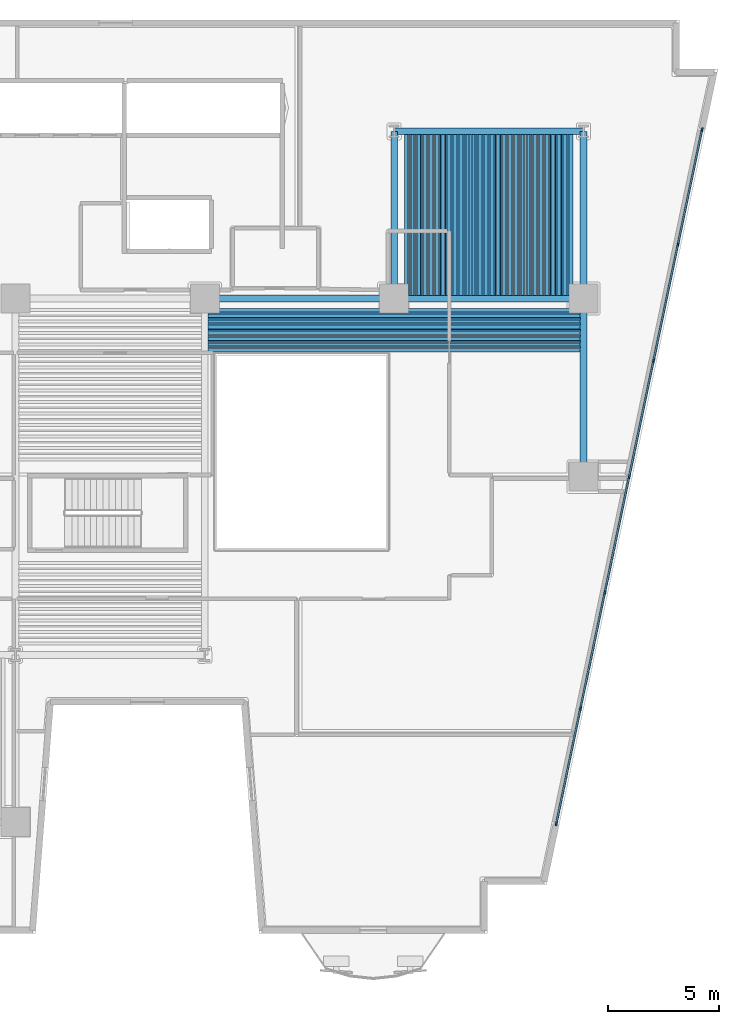
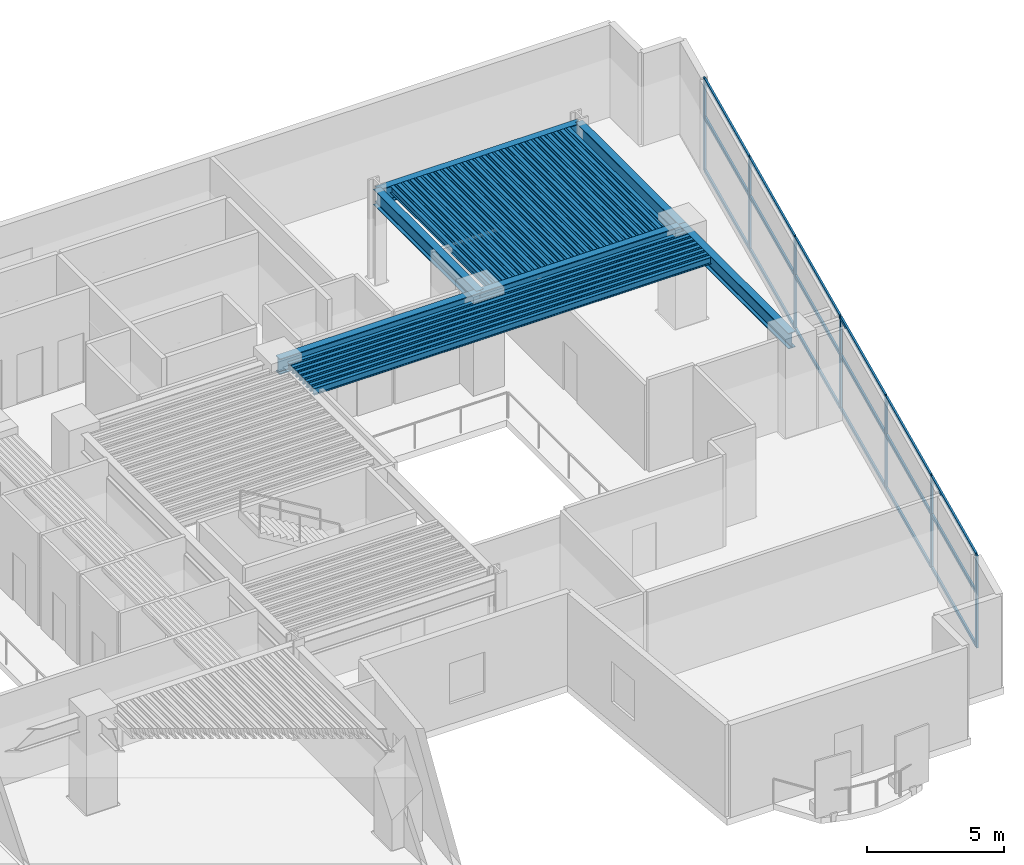
# One storey, part 2 of 11: 76 beams, 25 members, 1 element without a shape of its own.
"""IFC4 building model written with IfcOpenShell, lengths in metres."""

import ifcopenshell
import ifcopenshell.guid

model = None  # the IFC model being written
_history = None  # IfcOwnerHistory: only IFC2X3 demands one
_inside = {}  # id of a spatial element -> (the spatial element, [elements in it])
_under = {}  # id of a project, library or spatial element -> (it, [spatial elements below it])
_declared = {}  # id of a project -> (the project, [libraries it declares])
_typed = {}  # id of a type object -> (the type object, [elements of that type])
_made_of = {}  # id of a material, layer set ... -> (it, [elements and type objects made of it])


def new_model(schema):
    """Start an empty IFC model of exactly this schema.

    Asked for "IFC4X3", IfcOpenShell would pick the latest addendum, in which some entities
    have other attributes; the version numbers below select the first issue.
    IFC2X3 requires an IfcOwnerHistory on every rooted entity: one is made here for all.
    """
    global model, _history
    if schema == "IFC4X3":
        model = ifcopenshell.file(schema_version=(4, 3, 0, 0))
    else:
        model = ifcopenshell.file(schema=schema)
    _inside.clear()
    _under.clear()
    _declared.clear()
    _typed.clear()
    _made_of.clear()
    _history = None
    if model.schema == "IFC2X3":
        org = make("IfcOrganization", Name="unknown")
        user = make(
            "IfcPersonAndOrganization",
            ThePerson=make("IfcPerson", FamilyName="unknown"),
            TheOrganization=org,
        )
        app = make(
            "IfcApplication",
            ApplicationDeveloper=org,
            Version="unknown",
            ApplicationFullName="unknown",
            ApplicationIdentifier="unknown",
        )
        _history = make(
            "IfcOwnerHistory",
            OwningUser=user,
            OwningApplication=app,
            ChangeAction="ADDED",
            CreationDate=0,
        )
    return model


def make(cls, **values):
    """One entity of the class cls with the attributes given. An attribute that is None is left unset."""
    return model.create_entity(
        cls, **{name: value for name, value in values.items() if value is not None}
    )


def rooted(cls, **values):
    """An entity with a GlobalId (a new one), such as an element, a storey or a relation."""
    return make(cls, GlobalId=ifcopenshell.guid.new(), OwnerHistory=_history, **values)


def si_unit(unit_type, name, prefix=None):
    """IfcSIUnit, for example si_unit("LENGTHUNIT", "METRE", prefix="MILLI")."""
    return make("IfcSIUnit", UnitType=unit_type, Prefix=prefix, Name=name)


def assignment(units):
    """IfcUnitAssignment: the units of a project."""
    return None if units is None else make("IfcUnitAssignment", Units=units)


def point(xyz):
    """IfcCartesianPoint."""
    return None if xyz is None else make("IfcCartesianPoint", Coordinates=xyz)


def direction(xyz):
    """IfcDirection."""
    return None if xyz is None else make("IfcDirection", DirectionRatios=xyz)


def frame(location, z_axis=None, x_axis=None):
    """IfcAxis2Placement3D, a coordinate frame: its origin and axes. An axis left out is left unset."""
    return make(
        "IfcAxis2Placement3D",
        Location=point(location),
        Axis=direction(z_axis),
        RefDirection=direction(x_axis),
    )


def frame_2d(location, x_axis=None):
    """IfcAxis2Placement2D, a coordinate frame in the plane: its origin and x axis."""
    return make(
        "IfcAxis2Placement2D", Location=point(location), RefDirection=direction(x_axis)
    )


def origin():
    """The frame at (0, 0, 0) with its axes left unset."""
    return frame((0.0, 0.0, 0.0))


def origin_2d():
    """The frame at (0, 0) in the plane with its x axis left unset."""
    return frame_2d((0.0, 0.0))


def place(relative_to, where):
    """IfcLocalPlacement: puts the frame where relative to a parent placement (None: the world)."""
    return make(
        "IfcLocalPlacement", PlacementRelTo=relative_to, RelativePlacement=where
    )


def context(
    kind, dimensions, precision=None, world=None, true_north=None, identifier=None
):
    """IfcGeometricRepresentationContext, for example the 3D "Model" context."""
    return make(
        "IfcGeometricRepresentationContext",
        ContextIdentifier=identifier,
        ContextType=kind,
        CoordinateSpaceDimension=dimensions,
        Precision=precision,
        WorldCoordinateSystem=world,
        TrueNorth=true_north,
    )


def subcontext(parent, identifier, kind, view, scale=None):
    """IfcGeometricRepresentationSubContext, for example "Body" below "Model"."""
    return make(
        "IfcGeometricRepresentationSubContext",
        ContextIdentifier=identifier,
        ContextType=kind,
        ParentContext=parent,
        TargetScale=scale,
        TargetView=view,
    )


def project(units=None, contexts=None):
    """IfcProject with its units and contexts."""
    return rooted(
        "IfcProject",
        Name="project",
        RepresentationContexts=contexts,
        UnitsInContext=assignment(units),
    )


def spatial(cls, under=None, at=None, **own):
    """A site, building, storey or space (cls), placed at a placement, below another one or the project."""
    s = rooted(cls, ObjectPlacement=at, **own)
    if under is not None:
        _under.setdefault(under.id(), (under, []))[1].append(s)
    return s


def profile(cls, at=None, kind="AREA", **sizes):
    """A parametric profile (cls). Its sizes go by their IFC names, for example OverallWidth=200.0."""
    return make(cls, ProfileType=kind, Position=at, **sizes)


def rectangle(**sizes):
    """IfcRectangleProfileDef."""
    return profile("IfcRectangleProfileDef", **sizes)


def hollow_rectangle(**sizes):
    """IfcRectangleHollowProfileDef."""
    return profile("IfcRectangleHollowProfileDef", **sizes)


def i_section(**sizes):
    """IfcIShapeProfileDef."""
    return profile("IfcIShapeProfileDef", **sizes)


def extrude(swept, where, along, depth):
    """IfcExtrudedAreaSolid: the profile swept, set in the frame where, extruded along a direction by depth."""
    return make(
        "IfcExtrudedAreaSolid",
        SweptArea=swept,
        Position=where,
        ExtrudedDirection=direction(along),
        Depth=depth,
    )


def shape(context_of_items, identifier, shape_type, items):
    """IfcShapeRepresentation: the items that make up one representation, for example the "Body"."""
    return make(
        "IfcShapeRepresentation",
        ContextOfItems=context_of_items,
        RepresentationIdentifier=identifier,
        RepresentationType=shape_type,
        Items=items,
    )


def material(Name=None, Category=None):
    """IfcMaterial."""
    return make("IfcMaterial", Name=Name, Category=Category)


def layer(
    of_material, thickness, ventilated=None, Name=None, Category=None, Priority=None
):
    """IfcMaterialLayer: one layer of a wall or slab, of a material (None: an air gap)."""
    return make(
        "IfcMaterialLayer",
        Material=of_material,
        LayerThickness=thickness,
        IsVentilated=ventilated,
        Name=Name,
        Category=Category,
        Priority=Priority,
    )


def layer_set(layers, Name=None):
    """IfcMaterialLayerSet."""
    return make("IfcMaterialLayerSet", MaterialLayers=layers, LayerSetName=Name)


def material_profile(
    of_material, cross_section, Name=None, Category=None, Priority=None
):
    """IfcMaterialProfile: a cross section and its material."""
    return make(
        "IfcMaterialProfile",
        Name=Name,
        Material=of_material,
        Profile=cross_section,
        Priority=Priority,
        Category=Category,
    )


def profile_set(profiles, Name=None, composite=None):
    """IfcMaterialProfileSet."""
    return make(
        "IfcMaterialProfileSet",
        Name=Name,
        MaterialProfiles=profiles,
        CompositeProfile=composite,
    )


def made_of(thing, what):
    """Note that an element or type object is made of a material, layer set ...; save() writes the relation."""
    if what is not None:
        _made_of.setdefault(what.id(), (what, []))[1].append(thing)
    return thing


def type_object(cls, material=None, **own):
    """A type object (cls), such as IfcWallType, which elements share."""
    return made_of(rooted(cls, **own), material)


def element(
    cls,
    number,
    at=None,
    inside=None,
    cuts=None,
    type_object=None,
    material=None,
    context=None,
    identifier="Body",
    shape_type=None,
    held_by="IfcProductDefinitionShape",
    body=None,
    shapes=None,
    **own,
):
    """One element of the class cls, such as IfcWall. Its Tag is "e" and its number.

    at: its placement. inside: the storey or other place that contains it. cuts: it is an
    opening in that element (IfcRelVoidsElement). A single representation is given by context,
    identifier, shape_type and body (its items); several are given by shapes. held_by: the class
    of the entity that holds the representations. save() writes the other relations.
    """
    e = rooted(cls, Tag="e%d" % number, ObjectPlacement=at, **own)
    if body is not None:
        shapes = [shape(context, identifier, shape_type, body)]
    if shapes is not None:
        e.Representation = make(held_by, Representations=shapes)
    if inside is not None:
        _inside.setdefault(inside.id(), (inside, []))[1].append(e)
    if cuts is not None:
        rooted(
            "IfcRelVoidsElement", RelatingBuildingElement=cuts, RelatedOpeningElement=e
        )
    if type_object is not None:
        _typed.setdefault(type_object.id(), (type_object, []))[1].append(e)
    return made_of(e, material)


def aggregate(whole, parts):
    """IfcRelAggregates: a whole, such as a stair, and the parts it consists of."""
    return rooted("IfcRelAggregates", RelatingObject=whole, RelatedObjects=parts)


def save(model, path):
    """Write the relations noted so far, then the file.

    IfcRelAggregates (storeys below a building ...), IfcRelContainedInSpatialStructure (elements
    in a storey), IfcRelDefinesByType, IfcRelAssociatesMaterial and IfcRelDeclares: one each for
    every whole, place, type object, material and project.
    """
    for whole, parts in _under.values():
        aggregate(whole, parts)
    for where, things in _inside.values():
        rooted(
            "IfcRelContainedInSpatialStructure",
            RelatedElements=things,
            RelatingStructure=where,
        )
    for kind, things in _typed.values():
        rooted("IfcRelDefinesByType", RelatedObjects=things, RelatingType=kind)
    for what, things in _made_of.values():
        rooted("IfcRelAssociatesMaterial", RelatedObjects=things, RelatingMaterial=what)
    for by, libraries in _declared.values():
        rooted("IfcRelDeclares", RelatingContext=by, RelatedDefinitions=libraries)
    model.write(path)


model = new_model("IFC4")

# Units and contexts
model_context = context("Model", 3, precision=1e-05, world=origin(), true_north=direction((0.0, 1.0)))
body_context = subcontext(model_context, "Body", "Model", "MODEL_VIEW")
ifc_project = project(units=[si_unit("LENGTHUNIT", "METRE"), si_unit("AREAUNIT", "SQUARE_METRE"), si_unit("VOLUMEUNIT", "CUBIC_METRE"), si_unit("PLANEANGLEUNIT", "RADIAN"), si_unit("MASSUNIT", "GRAM", prefix="KILO")], contexts=[model_context])

# Site, building, storey
site_placement = place(None, origin())
site = spatial("IfcSite", under=ifc_project, at=site_placement, CompositionType="ELEMENT")
building_placement = place(site_placement, origin())
building = spatial("IfcBuilding", under=site, at=building_placement, Name="Caeloran Harvest Quay", CompositionType="ELEMENT")
storey_placement = place(building_placement, frame((0.0, 0.0, 49.0)))
storey = spatial("IfcBuildingStorey", under=building, at=storey_placement, Name="L11", CompositionType="ELEMENT", Elevation=49.0)

# Beams
ifc_material_1 = material(Name="Steel S355J2", Category="steel")
ifc_material_profile_1 = material_profile(ifc_material_1, i_section(OverallWidth=0.300048828125, OverallDepth=0.699951171875, WebThickness=0.01708984375, FlangeThickness=0.031982421875, FilletRadius=0.027099609375, at=origin_2d()), Name="HE 700 B")
ifc_profile_set_1 = profile_set([ifc_material_profile_1], Name="Steel S355J2")
beam_type_1 = type_object("IfcBeamType", Name="BM-PG-2-HE_700_B", PredefinedType="BEAM", material=ifc_profile_set_1)
for number, where, z_axis, x_axis, name in (
    (1, (34.0, 31.0, 3.75), (1.0, 0.0, 0.0), (0.0, 1.0, 0.0), "L11 Primary East-West Girder Y=31.0"),
    (2, (42.5, 31.0, 3.75), (1.0, 0.0, 0.0), (0.0, 1.0, 0.0), "L11 Primary East-West Girder Y=31.0"),
    (3, (42.5, 38.5, 3.75), (1.0, 0.0, 0.0), (0.0, 1.0, 0.0), "L11 Primary East-West Girder Y=38.5"),
):
    element("IfcBeam", number, at=place(storey_placement, frame(where, z_axis=z_axis, x_axis=x_axis)), inside=storey, type_object=beam_type_1, Name=name, PredefinedType="BEAM", context=body_context, shape_type="SweptSolid", body=[
        extrude(i_section(OverallWidth=0.300048828125, OverallDepth=0.699951171875, WebThickness=0.01708984375, FlangeThickness=0.031982421875, FilletRadius=0.027099609375, at=origin_2d()), origin(), (0.0, 0.0, 1.0), 8.5),
    ])
beam_1_placement = place(storey_placement, frame((42.5, 31.0, 3.75), z_axis=(0.0, 1.0, 0.0), x_axis=(-1.0, 0.0, 0.0)))
element("IfcBeam", 4, at=beam_1_placement, inside=storey, type_object=beam_type_1, Name="L11 Primary North-South Girder X=42.5", PredefinedType="BEAM", context=body_context, shape_type="SweptSolid", body=[
    extrude(i_section(OverallWidth=0.300048828125, OverallDepth=0.699951171875, WebThickness=0.01708984375, FlangeThickness=0.031982421875, FilletRadius=0.027099609375, at=origin_2d()), origin(), (0.0, 0.0, 1.0), 7.5),
])
beam_2_placement = place(storey_placement, frame((51.0, 23.0, 3.75), z_axis=(0.0, 1.0, 0.0), x_axis=(-1.0, 0.0, 0.0)))
element("IfcBeam", 5, at=beam_2_placement, inside=storey, type_object=beam_type_1, Name="L11 Primary North-South Girder X=51.0", PredefinedType="BEAM", context=body_context, shape_type="SweptSolid", body=[
    extrude(i_section(OverallWidth=0.300048828125, OverallDepth=0.699951171875, WebThickness=0.01708984375, FlangeThickness=0.031982421875, FilletRadius=0.027099609375, at=origin_2d()), origin(), (0.0, 0.0, 1.0), 8.0),
])
beam_3_placement = place(storey_placement, frame((51.0, 31.0, 3.75), z_axis=(0.0, 1.0, 0.0), x_axis=(-1.0, 0.0, 0.0)))
element("IfcBeam", 6, at=beam_3_placement, inside=storey, type_object=beam_type_1, Name="L11 Primary North-South Girder X=51.0", PredefinedType="BEAM", context=body_context, shape_type="SweptSolid", body=[
    extrude(i_section(OverallWidth=0.300048828125, OverallDepth=0.699951171875, WebThickness=0.01708984375, FlangeThickness=0.031982421875, FilletRadius=0.027099609375, at=origin_2d()), origin(), (0.0, 0.0, 1.0), 7.5),
])
ifc_material_profile_2 = material_profile(ifc_material_1, i_section(OverallWidth=0.14990234375, OverallDepth=0.300048828125, WebThickness=0.007080078125, FlangeThickness=0.0107421875, FilletRadius=0.014892578125, at=origin_2d()), Name="IPE 300")
ifc_profile_set_2 = profile_set([ifc_material_profile_2], Name="Steel S355J2")
beam_type_2 = type_object("IfcBeamType", Name="BM-SB-6-IPE_300", PredefinedType="JOIST", material=ifc_profile_set_2)
for number, where, z_axis, x_axis, name in (
    (7, (43.04833984375, 31.14501953125, 3.949951171875), (0.0, 1.0, 0.0), (-1.0, 0.0, 0.0), "L11 Secondary Composite Joist"),
    (8, (43.322509765625, 31.14501953125, 3.949951171875), (0.0, 1.0, 0.0), (-1.0, 0.0, 0.0), "L11 Secondary Composite Joist"),
    (9, (43.5966796875, 31.14501953125, 3.949951171875), (0.0, 1.0, 0.0), (-1.0, 0.0, 0.0), "L11 Secondary Composite Joist"),
    (10, (43.87109375, 31.14501953125, 3.949951171875), (0.0, 1.0, 0.0), (-1.0, 0.0, 0.0), "L11 Secondary Composite Joist"),
    (11, (44.145263671875, 31.14501953125, 3.949951171875), (0.0, 1.0, 0.0), (-1.0, 0.0, 0.0), "L11 Secondary Composite Joist"),
    (12, (44.41943359375, 31.14501953125, 3.949951171875), (0.0, 1.0, 0.0), (-1.0, 0.0, 0.0), "L11 Secondary Composite Joist"),
    (13, (44.693603515625, 31.14501953125, 3.949951171875), (0.0, 1.0, 0.0), (-1.0, 0.0, 0.0), "L11 Secondary Composite Joist"),
    (14, (44.9677734375, 31.14501953125, 3.949951171875), (0.0, 1.0, 0.0), (-1.0, 0.0, 0.0), "L11 Secondary Composite Joist"),
    (15, (45.241943359375, 31.14501953125, 3.949951171875), (0.0, 1.0, 0.0), (-1.0, 0.0, 0.0), "L11 Secondary Composite Joist"),
    (16, (45.51611328125, 31.14501953125, 3.949951171875), (0.0, 1.0, 0.0), (-1.0, 0.0, 0.0), "L11 Secondary Composite Joist"),
    (17, (45.790283203125, 31.14501953125, 3.949951171875), (0.0, 1.0, 0.0), (-1.0, 0.0, 0.0), "L11 Secondary Composite Joist"),
    (18, (46.064453125, 31.14501953125, 3.949951171875), (0.0, 1.0, 0.0), (-1.0, 0.0, 0.0), "L11 Secondary Composite Joist"),
    (19, (46.338623046875, 31.14501953125, 3.949951171875), (0.0, 1.0, 0.0), (-1.0, 0.0, 0.0), "L11 Secondary Composite Joist"),
    (20, (46.61279296875, 31.14501953125, 3.949951171875), (0.0, 1.0, 0.0), (-1.0, 0.0, 0.0), "L11 Secondary Composite Joist"),
    (21, (46.88720703125, 31.14501953125, 3.949951171875), (0.0, 1.0, 0.0), (-1.0, 0.0, 0.0), "L11 Secondary Composite Joist"),
    (22, (47.161376953125, 31.14501953125, 3.949951171875), (0.0, 1.0, 0.0), (-1.0, 0.0, 0.0), "L11 Secondary Composite Joist"),
    (23, (47.435546875, 31.14501953125, 3.949951171875), (0.0, 1.0, 0.0), (-1.0, 0.0, 0.0), "L11 Secondary Composite Joist"),
    (24, (47.709716796875, 31.14501953125, 3.949951171875), (0.0, 1.0, 0.0), (-1.0, 0.0, 0.0), "L11 Secondary Composite Joist"),
    (25, (47.98388671875, 31.14501953125, 3.949951171875), (0.0, 1.0, 0.0), (-1.0, 0.0, 0.0), "L11 Secondary Composite Joist"),
    (26, (48.258056640625, 31.14501953125, 3.949951171875), (0.0, 1.0, 0.0), (-1.0, 0.0, 0.0), "L11 Secondary Composite Joist"),
    (27, (48.5322265625, 31.14501953125, 3.949951171875), (0.0, 1.0, 0.0), (-1.0, 0.0, 0.0), "L11 Secondary Composite Joist"),
    (28, (48.806396484375, 31.14501953125, 3.949951171875), (0.0, 1.0, 0.0), (-1.0, 0.0, 0.0), "L11 Secondary Composite Joist"),
    (29, (49.08056640625, 31.14501953125, 3.949951171875), (0.0, 1.0, 0.0), (-1.0, 0.0, 0.0), "L11 Secondary Composite Joist"),
    (30, (49.354736328125, 31.14501953125, 3.949951171875), (0.0, 1.0, 0.0), (-1.0, 0.0, 0.0), "L11 Secondary Composite Joist"),
    (31, (49.62890625, 31.14501953125, 3.949951171875), (0.0, 1.0, 0.0), (-1.0, 0.0, 0.0), "L11 Secondary Composite Joist"),
    (32, (49.9033203125, 31.14501953125, 3.949951171875), (0.0, 1.0, 0.0), (-1.0, 0.0, 0.0), "L11 Secondary Composite Joist"),
    (33, (50.177490234375, 31.14501953125, 3.949951171875), (0.0, 1.0, 0.0), (-1.0, 0.0, 0.0), "L11 Secondary Composite Joist"),
    (34, (50.45166015625, 31.14501953125, 3.949951171875), (0.0, 1.0, 0.0), (-1.0, 0.0, 0.0), "L11 Secondary Composite Joist"),
):
    element("IfcBeam", number, at=place(storey_placement, frame(where, z_axis=z_axis, x_axis=x_axis)), inside=storey, type_object=beam_type_2, Name=name, PredefinedType="JOIST", context=body_context, shape_type="SweptSolid", body=[
        extrude(i_section(OverallWidth=0.14990234375, OverallDepth=0.300048828125, WebThickness=0.007080078125, FlangeThickness=0.0107421875, FilletRadius=0.014892578125, at=origin_2d()), origin(), (0.0, 0.0, 1.0), 7.2099609375),
    ])
for number, where, z_axis, x_axis, name in (
    (35, (34.14501953125, 28.677490234375, 3.949951171875), (1.0, 0.0, 0.0), (0.0, 1.0, 0.0), "L11 Secondary East-West Composite Joist"),
    (36, (34.14501953125, 28.935546875, 3.949951171875), (1.0, 0.0, 0.0), (0.0, 1.0, 0.0), "L11 Secondary East-West Composite Joist"),
    (37, (34.14501953125, 29.193603515625, 3.949951171875), (1.0, 0.0, 0.0), (0.0, 1.0, 0.0), "L11 Secondary East-West Composite Joist"),
    (38, (34.14501953125, 29.45166015625, 3.949951171875), (1.0, 0.0, 0.0), (0.0, 1.0, 0.0), "L11 Secondary East-West Composite Joist"),
    (39, (34.14501953125, 29.709716796875, 3.949951171875), (1.0, 0.0, 0.0), (0.0, 1.0, 0.0), "L11 Secondary East-West Composite Joist"),
    (40, (34.14501953125, 29.9677734375, 3.949951171875), (1.0, 0.0, 0.0), (0.0, 1.0, 0.0), "L11 Secondary East-West Composite Joist"),
    (41, (34.14501953125, 30.225830078125, 3.949951171875), (1.0, 0.0, 0.0), (0.0, 1.0, 0.0), "L11 Secondary East-West Composite Joist"),
    (42, (34.14501953125, 30.48388671875, 3.949951171875), (1.0, 0.0, 0.0), (0.0, 1.0, 0.0), "L11 Secondary East-West Composite Joist"),
):
    element("IfcBeam", number, at=place(storey_placement, frame(where, z_axis=z_axis, x_axis=x_axis)), inside=storey, type_object=beam_type_2, Name=name, PredefinedType="JOIST", context=body_context, shape_type="SweptSolid", body=[
        extrude(i_section(OverallWidth=0.14990234375, OverallDepth=0.300048828125, WebThickness=0.007080078125, FlangeThickness=0.0107421875, FilletRadius=0.014892578125, at=origin_2d()), origin(), (0.0, 0.0, 1.0), 16.7099609375),
    ])
ifc_material_profile_3 = material_profile(ifc_material_1, hollow_rectangle(XDim=0.080078125, YDim=0.199951171875, WallThickness=0.006103515625, InnerFilletRadius=0.006103515625, OuterFilletRadius=0.009033203125, at=origin_2d()), Name="RHS 200x80x6")
ifc_profile_set_3 = profile_set([ifc_material_profile_3], Name="Steel S355J2")
beam_type_3 = type_object("IfcBeamType", Name="BM-SB-7-RHS_200x80x6", PredefinedType="JOIST", material=ifc_profile_set_3)
for number, where, z_axis, x_axis, name in (
    (43, (43.185546875, 31.14501953125, 4.0), (0.0, 1.0, 0.0), (-1.0, 0.0, 0.0), "L11 Secondary Composite Joist"),
    (44, (43.459716796875, 31.14501953125, 4.0), (0.0, 1.0, 0.0), (-1.0, 0.0, 0.0), "L11 Secondary Composite Joist"),
    (45, (43.73388671875, 31.14501953125, 4.0), (0.0, 1.0, 0.0), (-1.0, 0.0, 0.0), "L11 Secondary Composite Joist"),
    (46, (44.008056640625, 31.14501953125, 4.0), (0.0, 1.0, 0.0), (-1.0, 0.0, 0.0), "L11 Secondary Composite Joist"),
    (47, (44.2822265625, 31.14501953125, 4.0), (0.0, 1.0, 0.0), (-1.0, 0.0, 0.0), "L11 Secondary Composite Joist"),
    (48, (44.556396484375, 31.14501953125, 4.0), (0.0, 1.0, 0.0), (-1.0, 0.0, 0.0), "L11 Secondary Composite Joist"),
    (49, (44.83056640625, 31.14501953125, 4.0), (0.0, 1.0, 0.0), (-1.0, 0.0, 0.0), "L11 Secondary Composite Joist"),
    (50, (45.104736328125, 31.14501953125, 4.0), (0.0, 1.0, 0.0), (-1.0, 0.0, 0.0), "L11 Secondary Composite Joist"),
    (51, (45.37890625, 31.14501953125, 4.0), (0.0, 1.0, 0.0), (-1.0, 0.0, 0.0), "L11 Secondary Composite Joist"),
    (52, (45.6533203125, 31.14501953125, 4.0), (0.0, 1.0, 0.0), (-1.0, 0.0, 0.0), "L11 Secondary Composite Joist"),
    (53, (45.927490234375, 31.14501953125, 4.0), (0.0, 1.0, 0.0), (-1.0, 0.0, 0.0), "L11 Secondary Composite Joist"),
    (54, (46.20166015625, 31.14501953125, 4.0), (0.0, 1.0, 0.0), (-1.0, 0.0, 0.0), "L11 Secondary Composite Joist"),
    (55, (46.475830078125, 31.14501953125, 4.0), (0.0, 1.0, 0.0), (-1.0, 0.0, 0.0), "L11 Secondary Composite Joist"),
    (56, (46.75, 31.14501953125, 4.0), (0.0, 1.0, 0.0), (-1.0, 0.0, 0.0), "L11 Secondary Composite Joist"),
    (57, (47.024169921875, 31.14501953125, 4.0), (0.0, 1.0, 0.0), (-1.0, 0.0, 0.0), "L11 Secondary Composite Joist"),
    (58, (47.29833984375, 31.14501953125, 4.0), (0.0, 1.0, 0.0), (-1.0, 0.0, 0.0), "L11 Secondary Composite Joist"),
    (59, (47.572509765625, 31.14501953125, 4.0), (0.0, 1.0, 0.0), (-1.0, 0.0, 0.0), "L11 Secondary Composite Joist"),
    (60, (47.8466796875, 31.14501953125, 4.0), (0.0, 1.0, 0.0), (-1.0, 0.0, 0.0), "L11 Secondary Composite Joist"),
    (61, (48.12109375, 31.14501953125, 4.0), (0.0, 1.0, 0.0), (-1.0, 0.0, 0.0), "L11 Secondary Composite Joist"),
    (62, (48.395263671875, 31.14501953125, 4.0), (0.0, 1.0, 0.0), (-1.0, 0.0, 0.0), "L11 Secondary Composite Joist"),
    (63, (48.66943359375, 31.14501953125, 4.0), (0.0, 1.0, 0.0), (-1.0, 0.0, 0.0), "L11 Secondary Composite Joist"),
    (64, (48.943603515625, 31.14501953125, 4.0), (0.0, 1.0, 0.0), (-1.0, 0.0, 0.0), "L11 Secondary Composite Joist"),
    (65, (49.2177734375, 31.14501953125, 4.0), (0.0, 1.0, 0.0), (-1.0, 0.0, 0.0), "L11 Secondary Composite Joist"),
    (66, (49.491943359375, 31.14501953125, 4.0), (0.0, 1.0, 0.0), (-1.0, 0.0, 0.0), "L11 Secondary Composite Joist"),
    (67, (49.76611328125, 31.14501953125, 4.0), (0.0, 1.0, 0.0), (-1.0, 0.0, 0.0), "L11 Secondary Composite Joist"),
    (68, (50.040283203125, 31.14501953125, 4.0), (0.0, 1.0, 0.0), (-1.0, 0.0, 0.0), "L11 Secondary Composite Joist"),
    (69, (50.314453125, 31.14501953125, 4.0), (0.0, 1.0, 0.0), (-1.0, 0.0, 0.0), "L11 Secondary Composite Joist"),
):
    element("IfcBeam", number, at=place(storey_placement, frame(where, z_axis=z_axis, x_axis=x_axis)), inside=storey, type_object=beam_type_3, Name=name, PredefinedType="JOIST", context=body_context, shape_type="SweptSolid", body=[
        extrude(hollow_rectangle(XDim=0.080078125, YDim=0.199951171875, WallThickness=0.006103515625, InnerFilletRadius=0.006103515625, OuterFilletRadius=0.009033203125, at=origin_2d()), origin(), (0.0, 0.0, 1.0), 7.2099609375),
    ])
for number, where, z_axis, x_axis, name in (
    (70, (34.14501953125, 28.806396484375, 4.0), (1.0, 0.0, 0.0), (0.0, 1.0, 0.0), "L11 Secondary East-West Composite Joist"),
    (71, (34.14501953125, 29.064453125, 4.0), (1.0, 0.0, 0.0), (0.0, 1.0, 0.0), "L11 Secondary East-West Composite Joist"),
    (72, (34.14501953125, 29.322509765625, 4.0), (1.0, 0.0, 0.0), (0.0, 1.0, 0.0), "L11 Secondary East-West Composite Joist"),
    (73, (34.14501953125, 29.58056640625, 4.0), (1.0, 0.0, 0.0), (0.0, 1.0, 0.0), "L11 Secondary East-West Composite Joist"),
    (74, (34.14501953125, 29.838623046875, 4.0), (1.0, 0.0, 0.0), (0.0, 1.0, 0.0), "L11 Secondary East-West Composite Joist"),
    (75, (34.14501953125, 30.0966796875, 4.0), (1.0, 0.0, 0.0), (0.0, 1.0, 0.0), "L11 Secondary East-West Composite Joist"),
    (76, (34.14501953125, 30.354736328125, 4.0), (1.0, 0.0, 0.0), (0.0, 1.0, 0.0), "L11 Secondary East-West Composite Joist"),
):
    element("IfcBeam", number, at=place(storey_placement, frame(where, z_axis=z_axis, x_axis=x_axis)), inside=storey, type_object=beam_type_3, Name=name, PredefinedType="JOIST", context=body_context, shape_type="SweptSolid", body=[
        extrude(hollow_rectangle(XDim=0.080078125, YDim=0.199951171875, WallThickness=0.006103515625, InnerFilletRadius=0.006103515625, OuterFilletRadius=0.009033203125, at=origin_2d()), origin(), (0.0, 0.0, 1.0), 16.7099609375),
    ])

# Curtain wall, members
ifc_material_2 = material(Name="Aluminium 6063-T6 and Low-E Glazing", Category="aluminium")
ifc_layer = layer(ifc_material_2, 0.199951171875, Name="Aluminium 6063-T6 and Low-E Glazing")
ifc_layer_set = layer_set([ifc_layer], Name="Aluminium 6063-T6 and Low-E Glazing")
curtain_wall_type = type_object("IfcCurtainWallType", Name="CW-SYS-CW-2", PredefinedType="USERDEFINED", material=ifc_layer_set)
curtain_wall_placement = place(storey_placement, origin())
curtain_wall = element("IfcCurtainWall", 77, at=curtain_wall_placement, inside=storey, type_object=curtain_wall_type, Name="L11 Unitised Curtain Wall CW-2 Run 9", ObjectType="CURTAIN_WALL", PredefinedType="USERDEFINED")
ifc_material_3 = material(Name="Aluminium 6063-T6", Category="aluminium")
ifc_material_profile_4 = material_profile(ifc_material_3, rectangle(XDim=0.080078125, YDim=0.179931640625, at=origin_2d()), Name="CW-MULLION-180")
ifc_profile_set_4 = profile_set([ifc_material_profile_4], Name="Aluminium 6063-T6")
member_type_1 = type_object("IfcMemberType", Name="CW-MULLION-180", PredefinedType="MULLION", material=ifc_profile_set_4)
member_1_placement = place(storey_placement, frame((56.322509765625, 38.576416015625, 0.0), z_axis=(0.0, 0.0, 1.0), x_axis=(0.978639691881, -0.205582960081, 0.0)))
member_1 = element("IfcMember", 78, at=member_1_placement, type_object=member_type_1, Name="CW-2 mullion 1", PredefinedType="MULLION", context=body_context, shape_type="SweptSolid", body=[
    extrude(rectangle(XDim=0.080078125, YDim=0.179931640625, at=origin_2d()), origin(), (0.0, 0.0, 1.0), 4.10009765625),
])
member_2_placement = place(storey_placement, frame((55.2373046875, 33.410400390625, 0.0), z_axis=(0.0, 0.0, 1.0), x_axis=(0.978639691881, -0.205582960081, 0.0)))
member_2 = element("IfcMember", 79, at=member_2_placement, type_object=member_type_1, Name="CW-2 mullion 2", PredefinedType="MULLION", context=body_context, shape_type="SweptSolid", body=[
    extrude(rectangle(XDim=0.080078125, YDim=0.179931640625, at=origin_2d()), origin(), (0.0, 0.0, 1.0), 4.10009765625),
])
member_3_placement = place(storey_placement, frame((54.143798828125, 28.205078125, 0.0), z_axis=(0.0, 0.0, 1.0), x_axis=(0.978639691881, -0.205582960081, 0.0)))
member_3 = element("IfcMember", 80, at=member_3_placement, type_object=member_type_1, Name="CW-2 mullion 3", PredefinedType="MULLION", context=body_context, shape_type="SweptSolid", body=[
    extrude(rectangle(XDim=0.080078125, YDim=0.179931640625, at=origin_2d()), origin(), (0.0, 0.0, 1.0), 4.10009765625),
])
member_4_placement = place(storey_placement, frame((53.050537109375, 23.0, 0.0), z_axis=(0.0, 0.0, 1.0), x_axis=(0.978639691881, -0.205582960081, 0.0)))
member_4 = element("IfcMember", 81, at=member_4_placement, type_object=member_type_1, Name="CW-2 mullion 4", PredefinedType="MULLION", context=body_context, shape_type="SweptSolid", body=[
    extrude(rectangle(XDim=0.080078125, YDim=0.179931640625, at=origin_2d()), origin(), (0.0, 0.0, 1.0), 4.10009765625),
])
member_5_placement = place(storey_placement, frame((51.95703125, 17.794921875, 0.0), z_axis=(0.0, 0.0, 1.0), x_axis=(0.978639691881, -0.205582960081, 0.0)))
member_5 = element("IfcMember", 82, at=member_5_placement, type_object=member_type_1, Name="CW-2 mullion 5", PredefinedType="MULLION", context=body_context, shape_type="SweptSolid", body=[
    extrude(rectangle(XDim=0.080078125, YDim=0.179931640625, at=origin_2d()), origin(), (0.0, 0.0, 1.0), 4.10009765625),
])
member_6_placement = place(storey_placement, frame((50.863525390625, 12.589599609375, 0.0), z_axis=(0.0, 0.0, 1.0), x_axis=(0.978639691881, -0.205582960081, 0.0)))
member_6 = element("IfcMember", 83, at=member_6_placement, type_object=member_type_1, Name="CW-2 mullion 6", PredefinedType="MULLION", context=body_context, shape_type="SweptSolid", body=[
    extrude(rectangle(XDim=0.080078125, YDim=0.179931640625, at=origin_2d()), origin(), (0.0, 0.0, 1.0), 4.10009765625),
])
member_7_placement = place(storey_placement, frame((49.7783203125, 7.423583984375, 0.0), z_axis=(0.0, 0.0, 1.0), x_axis=(0.978639691881, -0.205582960081, 0.0)))
member_7 = element("IfcMember", 84, at=member_7_placement, type_object=member_type_1, Name="CW-2 mullion 7", PredefinedType="MULLION", context=body_context, shape_type="SweptSolid", body=[
    extrude(rectangle(XDim=0.080078125, YDim=0.179931640625, at=origin_2d()), origin(), (0.0, 0.0, 1.0), 4.10009765625),
])
ifc_material_profile_5 = material_profile(ifc_material_3, rectangle(XDim=0.080078125, YDim=0.14990234375, at=origin_2d()), Name="CW-TRANSOM-150")
ifc_profile_set_5 = profile_set([ifc_material_profile_5], Name="Aluminium 6063-T6")
member_type_2 = type_object("IfcMemberType", Name="CW-TRANSOM-150", PredefinedType="USERDEFINED", material=ifc_profile_set_5)
member_8_placement = place(storey_placement, frame((56.314453125, 38.537109375, 0.0400390625), z_axis=(-0.205598644178, -0.978636396989, 0.0), x_axis=(0.978636396989, -0.205598644178, 0.0)))
member_8 = element("IfcMember", 85, at=member_8_placement, type_object=member_type_2, Name="CW-2 transom 1.1", ObjectType="TRANSOM", PredefinedType="USERDEFINED", context=body_context, shape_type="SweptSolid", body=[
    extrude(rectangle(XDim=0.080078125, YDim=0.14990234375, at=origin_2d()), origin(), (0.0, 0.0, 1.0), 5.19873046875),
])
member_9_placement = place(storey_placement, frame((56.314453125, 38.537109375, 2.39990234375), z_axis=(-0.205598644178, -0.978636396989, 0.0), x_axis=(0.978636396989, -0.205598644178, 0.0)))
member_9 = element("IfcMember", 86, at=member_9_placement, type_object=member_type_2, Name="CW-2 transom 1.2", ObjectType="TRANSOM", PredefinedType="USERDEFINED", context=body_context, shape_type="SweptSolid", body=[
    extrude(rectangle(XDim=0.080078125, YDim=0.14990234375, at=origin_2d()), origin(), (0.0, 0.0, 1.0), 5.19873046875),
])
member_10_placement = place(storey_placement, frame((56.314453125, 38.537109375, 4.06005859375), z_axis=(-0.205598644178, -0.978636396989, 0.0), x_axis=(0.978636396989, -0.205598644178, 0.0)))
member_10 = element("IfcMember", 87, at=member_10_placement, type_object=member_type_2, Name="CW-2 transom 1.3", ObjectType="TRANSOM", PredefinedType="USERDEFINED", context=body_context, shape_type="SweptSolid", body=[
    extrude(rectangle(XDim=0.080078125, YDim=0.14990234375, at=origin_2d()), origin(), (0.0, 0.0, 1.0), 5.19873046875),
])
member_11_placement = place(storey_placement, frame((55.229248046875, 33.37109375, 0.0400390625), z_axis=(-0.205615877389, -0.97863277636, 0.0), x_axis=(0.97863277636, -0.205615877389, 0.0)))
member_11 = element("IfcMember", 88, at=member_11_placement, type_object=member_type_2, Name="CW-2 transom 2.1", ObjectType="TRANSOM", PredefinedType="USERDEFINED", context=body_context, shape_type="SweptSolid", body=[
    extrude(rectangle(XDim=0.080078125, YDim=0.14990234375, at=origin_2d()), origin(), (0.0, 0.0, 1.0), 5.238525390625),
])
member_12_placement = place(storey_placement, frame((55.229248046875, 33.37109375, 2.39990234375), z_axis=(-0.205615877389, -0.97863277636, 0.0), x_axis=(0.97863277636, -0.205615877389, 0.0)))
member_12 = element("IfcMember", 89, at=member_12_placement, type_object=member_type_2, Name="CW-2 transom 2.2", ObjectType="TRANSOM", PredefinedType="USERDEFINED", context=body_context, shape_type="SweptSolid", body=[
    extrude(rectangle(XDim=0.080078125, YDim=0.14990234375, at=origin_2d()), origin(), (0.0, 0.0, 1.0), 5.238525390625),
])
member_13_placement = place(storey_placement, frame((55.229248046875, 33.37109375, 4.06005859375), z_axis=(-0.205615877389, -0.97863277636, 0.0), x_axis=(0.97863277636, -0.205615877389, 0.0)))
member_13 = element("IfcMember", 90, at=member_13_placement, type_object=member_type_2, Name="CW-2 transom 2.3", ObjectType="TRANSOM", PredefinedType="USERDEFINED", context=body_context, shape_type="SweptSolid", body=[
    extrude(rectangle(XDim=0.080078125, YDim=0.14990234375, at=origin_2d()), origin(), (0.0, 0.0, 1.0), 5.238525390625),
])
member_14_placement = place(storey_placement, frame((54.1357421875, 28.166015625, 0.0400390625), z_axis=(-0.205606500081, -0.978634746534, 0.0), x_axis=(0.978634746534, -0.205606500081, 0.0)))
member_14 = element("IfcMember", 91, at=member_14_placement, type_object=member_type_2, Name="CW-2 transom 3.1", ObjectType="TRANSOM", PredefinedType="USERDEFINED", context=body_context, shape_type="SweptSolid", body=[
    extrude(rectangle(XDim=0.080078125, YDim=0.14990234375, at=origin_2d()), origin(), (0.0, 0.0, 1.0), 5.23876953125),
])
member_15_placement = place(storey_placement, frame((54.1357421875, 28.166015625, 2.39990234375), z_axis=(-0.205606500081, -0.978634746534, 0.0), x_axis=(0.978634746534, -0.205606500081, 0.0)))
member_15 = element("IfcMember", 92, at=member_15_placement, type_object=member_type_2, Name="CW-2 transom 3.2", ObjectType="TRANSOM", PredefinedType="USERDEFINED", context=body_context, shape_type="SweptSolid", body=[
    extrude(rectangle(XDim=0.080078125, YDim=0.14990234375, at=origin_2d()), origin(), (0.0, 0.0, 1.0), 5.23876953125),
])
member_16_placement = place(storey_placement, frame((54.1357421875, 28.166015625, 4.06005859375), z_axis=(-0.205606500081, -0.978634746534, 0.0), x_axis=(0.978634746534, -0.205606500081, 0.0)))
member_16 = element("IfcMember", 93, at=member_16_placement, type_object=member_type_2, Name="CW-2 transom 3.3", ObjectType="TRANSOM", PredefinedType="USERDEFINED", context=body_context, shape_type="SweptSolid", body=[
    extrude(rectangle(XDim=0.080078125, YDim=0.14990234375, at=origin_2d()), origin(), (0.0, 0.0, 1.0), 5.23876953125),
])
member_17_placement = place(storey_placement, frame((53.042236328125, 22.9609375, 0.0400390625), z_axis=(-0.205561867825, -0.978644122496, 0.0), x_axis=(0.978644122496, -0.205561867825, 0.0)))
member_17 = element("IfcMember", 94, at=member_17_placement, type_object=member_type_2, Name="CW-2 transom 4.1", ObjectType="TRANSOM", PredefinedType="USERDEFINED", context=body_context, shape_type="SweptSolid", body=[
    extrude(rectangle(XDim=0.080078125, YDim=0.14990234375, at=origin_2d()), origin(), (0.0, 0.0, 1.0), 5.23876953125),
])
member_18_placement = place(storey_placement, frame((53.042236328125, 22.9609375, 2.39990234375), z_axis=(-0.205561867825, -0.978644122496, 0.0), x_axis=(0.978644122496, -0.205561867825, 0.0)))
member_18 = element("IfcMember", 95, at=member_18_placement, type_object=member_type_2, Name="CW-2 transom 4.2", ObjectType="TRANSOM", PredefinedType="USERDEFINED", context=body_context, shape_type="SweptSolid", body=[
    extrude(rectangle(XDim=0.080078125, YDim=0.14990234375, at=origin_2d()), origin(), (0.0, 0.0, 1.0), 5.23876953125),
])
member_19_placement = place(storey_placement, frame((53.042236328125, 22.9609375, 4.06005859375), z_axis=(-0.205561867825, -0.978644122496, 0.0), x_axis=(0.978644122496, -0.205561867825, 0.0)))
member_19 = element("IfcMember", 96, at=member_19_placement, type_object=member_type_2, Name="CW-2 transom 4.3", ObjectType="TRANSOM", PredefinedType="USERDEFINED", context=body_context, shape_type="SweptSolid", body=[
    extrude(rectangle(XDim=0.080078125, YDim=0.14990234375, at=origin_2d()), origin(), (0.0, 0.0, 1.0), 5.23876953125),
])
member_20_placement = place(storey_placement, frame((51.94873046875, 17.755615234375, 0.0400390625), z_axis=(-0.205571243277, -0.978642153158, 0.0), x_axis=(0.978642153158, -0.205571243277, 0.0)))
member_20 = element("IfcMember", 97, at=member_20_placement, type_object=member_type_2, Name="CW-2 transom 5.1", ObjectType="TRANSOM", PredefinedType="USERDEFINED", context=body_context, shape_type="SweptSolid", body=[
    extrude(rectangle(XDim=0.080078125, YDim=0.14990234375, at=origin_2d()), origin(), (0.0, 0.0, 1.0), 5.238525390625),
])
member_21_placement = place(storey_placement, frame((51.94873046875, 17.755615234375, 2.39990234375), z_axis=(-0.205571243277, -0.978642153158, 0.0), x_axis=(0.978642153158, -0.205571243277, 0.0)))
member_21 = element("IfcMember", 98, at=member_21_placement, type_object=member_type_2, Name="CW-2 transom 5.2", ObjectType="TRANSOM", PredefinedType="USERDEFINED", context=body_context, shape_type="SweptSolid", body=[
    extrude(rectangle(XDim=0.080078125, YDim=0.14990234375, at=origin_2d()), origin(), (0.0, 0.0, 1.0), 5.238525390625),
])
member_22_placement = place(storey_placement, frame((51.94873046875, 17.755615234375, 4.06005859375), z_axis=(-0.205571243277, -0.978642153158, 0.0), x_axis=(0.978642153158, -0.205571243277, 0.0)))
member_22 = element("IfcMember", 99, at=member_22_placement, type_object=member_type_2, Name="CW-2 transom 5.3", ObjectType="TRANSOM", PredefinedType="USERDEFINED", context=body_context, shape_type="SweptSolid", body=[
    extrude(rectangle(XDim=0.080078125, YDim=0.14990234375, at=origin_2d()), origin(), (0.0, 0.0, 1.0), 5.238525390625),
])
member_23_placement = place(storey_placement, frame((50.855224609375, 12.550537109375, 0.0400390625), z_axis=(-0.205553666865, -0.978645845052, 0.0), x_axis=(0.978645845052, -0.205553666865, 0.0)))
member_23 = element("IfcMember", 100, at=member_23_placement, type_object=member_type_2, Name="CW-2 transom 6.1", ObjectType="TRANSOM", PredefinedType="USERDEFINED", context=body_context, shape_type="SweptSolid", body=[
    extrude(rectangle(XDim=0.080078125, YDim=0.14990234375, at=origin_2d()), origin(), (0.0, 0.0, 1.0), 5.19873046875),
])
member_24_placement = place(storey_placement, frame((50.855224609375, 12.550537109375, 2.39990234375), z_axis=(-0.205553666865, -0.978645845052, 0.0), x_axis=(0.978645845052, -0.205553666865, 0.0)))
member_24 = element("IfcMember", 101, at=member_24_placement, type_object=member_type_2, Name="CW-2 transom 6.2", ObjectType="TRANSOM", PredefinedType="USERDEFINED", context=body_context, shape_type="SweptSolid", body=[
    extrude(rectangle(XDim=0.080078125, YDim=0.14990234375, at=origin_2d()), origin(), (0.0, 0.0, 1.0), 5.19873046875),
])
member_25_placement = place(storey_placement, frame((50.855224609375, 12.550537109375, 4.06005859375), z_axis=(-0.205553666865, -0.978645845052, 0.0), x_axis=(0.978645845052, -0.205553666865, 0.0)))
member_25 = element("IfcMember", 102, at=member_25_placement, type_object=member_type_2, Name="CW-2 transom 6.3", ObjectType="TRANSOM", PredefinedType="USERDEFINED", context=body_context, shape_type="SweptSolid", body=[
    extrude(rectangle(XDim=0.080078125, YDim=0.14990234375, at=origin_2d()), origin(), (0.0, 0.0, 1.0), 5.19873046875),
])
aggregate(curtain_wall, [member_1, member_2, member_3, member_4, member_5, member_6, member_7, member_8, member_9, member_10, member_11, member_12, member_13, member_14, member_15, member_16, member_17, member_18, member_19, member_20, member_21, member_22, member_23, member_24, member_25])

save(model, "model.ifc")
